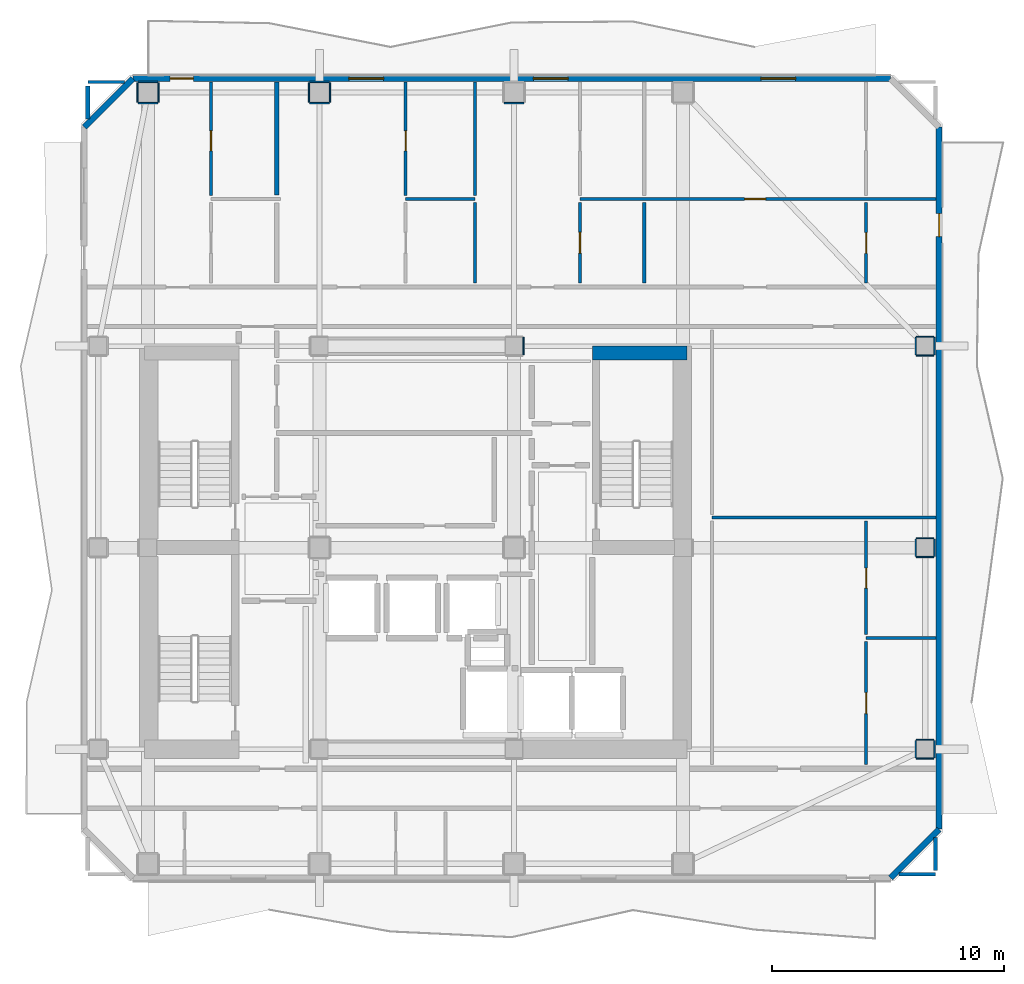
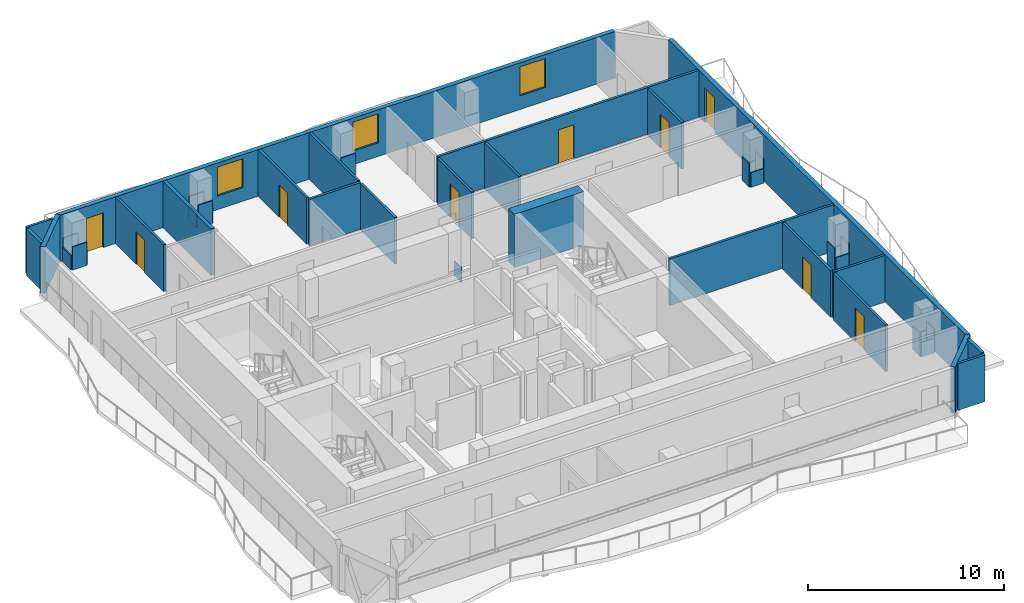
# One storey, part 5 of 9: 45 walls, 9 doors, 3 windows, 12 openings.
"""IFC4 building model written with IfcOpenShell, lengths in metres."""

from ifc_helpers import new_model, si_unit, direction, frame, frame_2d, origin, place, context, subcontext, project, spatial, rectangle, extrude, material, layer, layer_set, type_object, element, fill, save


model = new_model("IFC4")

# Units and contexts
model_context = context("Model", 3, precision=1e-05, world=origin(), true_north=direction((0.0, 1.0)))
body_context = subcontext(model_context, "Body", "Model", "MODEL_VIEW")
ifc_project = project(units=[si_unit("LENGTHUNIT", "METRE"), si_unit("AREAUNIT", "SQUARE_METRE"), si_unit("VOLUMEUNIT", "CUBIC_METRE"), si_unit("PLANEANGLEUNIT", "RADIAN"), si_unit("MASSUNIT", "GRAM", prefix="KILO")], contexts=[model_context])

# Site, building, storey
site_placement = place(None, origin())
site = spatial("IfcSite", under=ifc_project, at=site_placement, CompositionType="ELEMENT")
building_placement = place(site_placement, origin())
building = spatial("IfcBuilding", under=site, at=building_placement, Name="Solanera Arch Residences", CompositionType="ELEMENT")
storey_placement = place(building_placement, frame((0.0, 0.0, 247.8798828125)))
storey = spatial("IfcBuildingStorey", under=building, at=storey_placement, Name="L72", CompositionType="ELEMENT", Elevation=247.8798828125)

# Walls
ifc_material_1 = material(Name="Fire-Rated Gypsum Stud Partition", Category="gypsum")
ifc_layer_1 = layer(ifc_material_1, 0.06005859375)
ifc_layer_set_1 = layer_set([ifc_layer_1], Name="Fire-Rated Gypsum Stud Partition")
wall_type_1 = type_object("IfcWallType", Name="Column Acoustic Furring Wall 60", PredefinedType="PARTITIONING", material=ifc_layer_set_1)
wall_1_placement = place(storey_placement, frame((29.60693359375, 39.02490234375, 0.0), z_axis=(0.0, 0.0, 1.0), x_axis=(0.0, 1.0, 0.0)))
element("IfcWall", 1, at=wall_1_placement, inside=storey, type_object=wall_type_1, Name="L72 Column Furring 4E", PredefinedType="PARTITIONING", context=body_context, shape_type="SweptSolid", body=[
    extrude(rectangle(XDim=0.75, YDim=0.06005859375, at=frame_2d((0.375, 0.0))), origin(), (0.0, 0.0, 1.0), 0.905029296875),
])
for number, where, z_axis, x_axis, name in (
    (2, (12.97509765625, 49.89306640625, 0.0), (0.0, 0.0, 1.0), (1.0, 0.0, 0.0), "L72 Column Furring 10S"),
    (3, (12.97509765625, 50.806884765625, 0.0), (0.0, 0.0, 1.0), (1.0, 0.0, 0.0), "L72 Column Furring 10N"),
):
    element("IfcWall", number, at=place(storey_placement, frame(where, z_axis=z_axis, x_axis=x_axis)), inside=storey, type_object=wall_type_1, Name=name, PredefinedType="PARTITIONING", context=body_context, shape_type="SweptSolid", body=[
        extrude(rectangle(XDim=0.849853515625, YDim=0.06005859375, at=frame_2d((0.4248046875, 0.0))), origin(), (0.0, 0.0, 1.0), 1.4501953125),
    ])
for number, where, z_axis, x_axis, name in (
    (4, (12.943115234375, 49.925048828125, 0.0), (0.0, 0.0, 1.0), (0.0, 1.0, 0.0), "L72 Column Furring 10W"),
    (5, (13.85693359375, 49.925048828125, 0.0), (0.0, 0.0, 1.0), (0.0, 1.0, 0.0), "L72 Column Furring 10E"),
):
    element("IfcWall", number, at=place(storey_placement, frame(where, z_axis=z_axis, x_axis=x_axis)), inside=storey, type_object=wall_type_1, Name=name, PredefinedType="PARTITIONING", context=body_context, shape_type="SweptSolid", body=[
        extrude(rectangle(XDim=0.849853515625, YDim=0.06005859375, at=frame_2d((0.4248046875, 0.0))), origin(), (0.0, 0.0, 1.0), 0.905029296875),
    ])
for number, where, z_axis, x_axis, name in (
    (6, (20.375, 49.89306640625, 0.0), (0.0, 0.0, 1.0), (1.0, 0.0, 0.0), "L72 Column Furring 12S"),
    (7, (20.375, 50.806884765625, 0.0), (0.0, 0.0, 1.0), (1.0, 0.0, 0.0), "L72 Column Furring 12N"),
):
    element("IfcWall", number, at=place(storey_placement, frame(where, z_axis=z_axis, x_axis=x_axis)), inside=storey, type_object=wall_type_1, Name=name, PredefinedType="PARTITIONING", context=body_context, shape_type="SweptSolid", body=[
        extrude(rectangle(XDim=0.85009765625, YDim=0.06005859375, at=frame_2d((0.425048828125, 0.0))), origin(), (0.0, 0.0, 1.0), 1.4501953125),
    ])
for number, where, z_axis, x_axis, name in (
    (8, (20.343017578125, 49.925048828125, 0.0), (0.0, 0.0, 1.0), (0.0, 1.0, 0.0), "L72 Column Furring 12W"),
    (9, (21.257080078125, 49.925048828125, 0.0), (0.0, 0.0, 1.0), (0.0, 1.0, 0.0), "L72 Column Furring 12E"),
):
    element("IfcWall", number, at=place(storey_placement, frame(where, z_axis=z_axis, x_axis=x_axis)), inside=storey, type_object=wall_type_1, Name=name, PredefinedType="PARTITIONING", context=body_context, shape_type="SweptSolid", body=[
        extrude(rectangle(XDim=0.849853515625, YDim=0.06005859375, at=frame_2d((0.4248046875, 0.0))), origin(), (0.0, 0.0, 1.0), 0.905029296875),
    ])
wall_2_placement = place(storey_placement, frame((28.77490234375, 49.89306640625, 0.0), z_axis=(0.0, 0.0, 1.0), x_axis=(1.0, 0.0, 0.0)))
element("IfcWall", 10, at=wall_2_placement, inside=storey, type_object=wall_type_1, Name="L72 Column Furring 14S", PredefinedType="PARTITIONING", context=body_context, shape_type="SweptSolid", body=[
    extrude(rectangle(XDim=0.85009765625, YDim=0.06005859375, at=frame_2d((0.425048828125, 0.0))), origin(), (0.0, 0.0, 1.0), 1.4501953125),
])
for number, where, z_axis, x_axis, name in (
    (11, (46.574951171875, 21.593017578125, 0.0), (0.0, 0.0, 1.0), (1.0, 0.0, 0.0), "L72 Column Furring 18S"),
    (12, (46.574951171875, 22.406982421875, 0.0), (0.0, 0.0, 1.0), (1.0, 0.0, 0.0), "L72 Column Furring 18N"),
):
    element("IfcWall", number, at=place(storey_placement, frame(where, z_axis=z_axis, x_axis=x_axis)), inside=storey, type_object=wall_type_1, Name=name, PredefinedType="PARTITIONING", context=body_context, shape_type="SweptSolid", body=[
        extrude(rectangle(XDim=0.75, YDim=0.06005859375, at=frame_2d((0.375, 0.0))), origin(), (0.0, 0.0, 1.0), 0.905029296875),
    ])
for number, where, z_axis, x_axis, name in (
    (13, (46.54296875, 21.625, 0.0), (0.0, 0.0, 1.0), (0.0, 1.0, 0.0), "L72 Column Furring 18W"),
    (14, (47.35693359375, 21.625, 0.0), (0.0, 0.0, 1.0), (0.0, 1.0, 0.0), "L72 Column Furring 18E"),
):
    element("IfcWall", number, at=place(storey_placement, frame(where, z_axis=z_axis, x_axis=x_axis)), inside=storey, type_object=wall_type_1, Name=name, PredefinedType="PARTITIONING", context=body_context, shape_type="SweptSolid", body=[
        extrude(rectangle(XDim=0.75, YDim=0.06005859375, at=frame_2d((0.375, 0.0))), origin(), (0.0, 0.0, 1.0), 1.4501953125),
    ])
for number, where, z_axis, x_axis, name in (
    (15, (46.574951171875, 30.29296875, 0.0), (0.0, 0.0, 1.0), (1.0, 0.0, 0.0), "L72 Column Furring 20S"),
    (16, (46.574951171875, 31.10693359375, 0.0), (0.0, 0.0, 1.0), (1.0, 0.0, 0.0), "L72 Column Furring 20N"),
):
    element("IfcWall", number, at=place(storey_placement, frame(where, z_axis=z_axis, x_axis=x_axis)), inside=storey, type_object=wall_type_1, Name=name, PredefinedType="PARTITIONING", context=body_context, shape_type="SweptSolid", body=[
        extrude(rectangle(XDim=0.75, YDim=0.06005859375, at=frame_2d((0.375, 0.0))), origin(), (0.0, 0.0, 1.0), 0.905029296875),
    ])
for number, where, z_axis, x_axis, name in (
    (17, (46.54296875, 30.324951171875, 0.0), (0.0, 0.0, 1.0), (0.0, 1.0, 0.0), "L72 Column Furring 20W"),
    (18, (47.35693359375, 30.324951171875, 0.0), (0.0, 0.0, 1.0), (0.0, 1.0, 0.0), "L72 Column Furring 20E"),
):
    element("IfcWall", number, at=place(storey_placement, frame(where, z_axis=z_axis, x_axis=x_axis)), inside=storey, type_object=wall_type_1, Name=name, PredefinedType="PARTITIONING", context=body_context, shape_type="SweptSolid", body=[
        extrude(rectangle(XDim=0.75, YDim=0.06005859375, at=frame_2d((0.375, 0.0))), origin(), (0.0, 0.0, 1.0), 1.4501953125),
    ])
for number, where, z_axis, x_axis, name in (
    (19, (46.574951171875, 38.992919921875, 0.0), (0.0, 0.0, 1.0), (1.0, 0.0, 0.0), "L72 Column Furring 22S"),
    (20, (46.574951171875, 39.806884765625, 0.0), (0.0, 0.0, 1.0), (1.0, 0.0, 0.0), "L72 Column Furring 22N"),
):
    element("IfcWall", number, at=place(storey_placement, frame(where, z_axis=z_axis, x_axis=x_axis)), inside=storey, type_object=wall_type_1, Name=name, PredefinedType="PARTITIONING", context=body_context, shape_type="SweptSolid", body=[
        extrude(rectangle(XDim=0.75, YDim=0.06005859375, at=frame_2d((0.375, 0.0))), origin(), (0.0, 0.0, 1.0), 0.905029296875),
    ])
for number, where, z_axis, x_axis, name in (
    (21, (46.54296875, 39.02490234375, 0.0), (0.0, 0.0, 1.0), (0.0, 1.0, 0.0), "L72 Column Furring 22W"),
    (22, (47.35693359375, 39.02490234375, 0.0), (0.0, 0.0, 1.0), (0.0, 1.0, 0.0), "L72 Column Furring 22E"),
):
    element("IfcWall", number, at=place(storey_placement, frame(where, z_axis=z_axis, x_axis=x_axis)), inside=storey, type_object=wall_type_1, Name=name, PredefinedType="PARTITIONING", context=body_context, shape_type="SweptSolid", body=[
        extrude(rectangle(XDim=0.75, YDim=0.06005859375, at=frame_2d((0.375, 0.0))), origin(), (0.0, 0.0, 1.0), 1.4501953125),
    ])
ifc_material_2 = material(Name="Concrete C40/50 (f'c = 45 MPa)", Category="concrete")
ifc_layer_2 = layer(ifc_material_2, 0.60009765625)
ifc_layer_set_2 = layer_set([ifc_layer_2], Name="Concrete C40/50 (f'c = 45 MPa)")
wall_type_2 = type_object("IfcWallType", Name="Core Shear Wall CW-600", PredefinedType="SHEAR", material=ifc_layer_set_2)
wall_3_placement = place(storey_placement, frame((32.580078125, 39.10009765625, 0.0), z_axis=(0.0, 0.0, 1.0), x_axis=(1.0, 0.0, 0.0)))
element("IfcWall", 23, at=wall_3_placement, inside=storey, type_object=wall_type_2, Name="L72 North-East Core Shear Wall", PredefinedType="SHEAR", context=body_context, shape_type="SweptSolid", body=[
    extrude(rectangle(XDim=4.079833984375, YDim=0.60009765625, at=frame_2d((2.0400390625, 0.0))), origin(), (0.0, 0.0, 1.0), 3.320068359375),
])
ifc_material_3 = material(Name="Autoclaved Aerated Concrete Blockwork", Category="masonry")
ifc_layer_3 = layer(ifc_material_3, 0.179931640625)
ifc_layer_set_3 = layer_set([ifc_layer_3], Name="Autoclaved Aerated Concrete Blockwork")
wall_type_3 = type_object("IfcWallType", Name="Corridor Fire Partition 180", PredefinedType="PARTITIONING", material=ifc_layer_set_3)
wall_4_placement = place(storey_placement, frame((10.800048828125, 49.2109375, 0.0), z_axis=(0.0, 0.0, 1.0), x_axis=(0.0, 1.0, 0.0)))
element("IfcWall", 24, at=wall_4_placement, inside=storey, type_object=wall_type_3, Name="L72 Interior Partition V9", PredefinedType="PARTITIONING", context=body_context, shape_type="SweptSolid", body=[
    extrude(rectangle(XDim=1.421142578125, YDim=0.179931640625, at=frame_2d((0.71044921875, 0.0))), origin(), (0.0, 0.0, 1.0), 2.900146484375),
])
wall_5_placement = place(storey_placement, frame((47.39990234375, 16.76806640625, 0.0), z_axis=(0.0, 0.0, 1.0), x_axis=(0.0, 1.0, 0.0)))
element("IfcWall", 25, at=wall_5_placement, inside=storey, type_object=wall_type_3, Name="L72 Interior Partition V11 1", PredefinedType="PARTITIONING", context=body_context, shape_type="SweptSolid", body=[
    extrude(rectangle(XDim=1.4208984375, YDim=0.179931640625, at=frame_2d((0.71044921875, 0.0))), origin(), (0.0, 0.0, 1.0), 2.900146484375),
])
ifc_material_4 = material(Name="Precast Concrete C35/45", Category="concrete")
ifc_layer_4 = layer(ifc_material_4, 0.260009765625)
ifc_layer_set_4 = layer_set([ifc_layer_4], Name="Precast Concrete C35/45")
wall_type_4 = type_object("IfcWallType", Name="Exterior Wall Precast Masonry-Frame 260", PredefinedType="STANDARD", material=ifc_layer_set_4)
wall_6_placement = place(storey_placement, frame((10.64501953125, 48.85498046875, 0.0), z_axis=(0.0, 0.0, 1.0), x_axis=(0.707106781187, 0.707106781187, 0.0)))
element("IfcWall", 26, at=wall_6_placement, inside=storey, type_object=wall_type_4, Name="L72 Tower Exterior Precast Masonry-Frame Wall CH1", PredefinedType="STANDARD", context=body_context, shape_type="SweptSolid", body=[
    extrude(rectangle(XDim=2.969970703125, YDim=0.260009765625, at=frame_2d((1.48486328125, 0.0))), origin(), (0.0, 0.0, 1.0), 2.900146484375),
])

# Wall, openings, door, windows
wall_7_placement = place(storey_placement, frame((12.7451171875, 50.955078125, 0.0), z_axis=(0.0, 0.0, 1.0), x_axis=(1.0, 0.0, 0.0)))
wall_7 = element("IfcWall", 27, at=wall_7_placement, inside=storey, type_object=wall_type_4, Name="L72 Tower Exterior Precast Masonry-Frame Wall N", PredefinedType="STANDARD", context=body_context, shape_type="SweptSolid", body=[
    extrude(rectangle(XDim=32.7099609375, YDim=0.260009765625, at=frame_2d((16.35498046875, 0.0))), origin(), (0.0, 0.0, 1.0), 2.900146484375),
])
opening_1_placement = place(wall_7_placement, frame((1.610107421875, 0.0, 0.0)))
opening_1 = element("IfcOpeningElement", 28, at=opening_1_placement, cuts=wall_7, Name="Opening DB-01", PredefinedType="OPENING", context=body_context, shape_type="SweptSolid", body=[
    extrude(rectangle(XDim=1.0, YDim=2.14990234375, at=frame_2d((0.5, 1.074951171875))), frame((0.0, 0.139892578125, 0.0), z_axis=(0.0, -1.0, 0.0), x_axis=(1.0, 0.0, 0.0)), (0.0, 0.0, 1.0), 0.28),
])
opening_2_placement = place(wall_7_placement, frame((9.327880859375, 0.0, 0.85009765625)))
opening_2 = element("IfcOpeningElement", 29, at=opening_2_placement, cuts=wall_7, Name="Opening W-02", PredefinedType="OPENING", context=body_context, shape_type="SweptSolid", body=[
    extrude(rectangle(XDim=1.5, YDim=1.800048828125, at=frame_2d((0.75, 0.89990234375))), frame((0.0, 0.139892578125, 0.0), z_axis=(0.0, -1.0, 0.0), x_axis=(1.0, 0.0, 0.0)), (0.0, 0.0, 1.0), 0.28),
])
opening_3_placement = place(wall_7_placement, frame((17.2900390625, 0.0, 0.85009765625)))
opening_3 = element("IfcOpeningElement", 30, at=opening_3_placement, cuts=wall_7, Name="Opening W-02", PredefinedType="OPENING", context=body_context, shape_type="SweptSolid", body=[
    extrude(rectangle(XDim=1.5, YDim=1.800048828125, at=frame_2d((0.75, 0.89990234375))), frame((0.0, 0.139892578125, 0.0), z_axis=(0.0, -1.0, 0.0), x_axis=(1.0, 0.0, 0.0)), (0.0, 0.0, 1.0), 0.28),
])
opening_4_placement = place(wall_7_placement, frame((27.116943359375, 0.0, 0.85009765625)))
opening_4 = element("IfcOpeningElement", 31, at=opening_4_placement, cuts=wall_7, Name="Opening W-02", PredefinedType="OPENING", context=body_context, shape_type="SweptSolid", body=[
    extrude(rectangle(XDim=1.5, YDim=1.800048828125, at=frame_2d((0.75, 0.89990234375))), frame((0.0, 0.139892578125, 0.0), z_axis=(0.0, -1.0, 0.0), x_axis=(1.0, 0.0, 0.0)), (0.0, 0.0, 1.0), 0.28),
])
ifc_material_5 = material(Name="Anodised Aluminium Alloy 6063-T6", Category="aluminium")
door_type_1 = type_object("IfcDoorType", Name="Glazed Balcony Swing Door DB-01", OperationType="NOTDEFINED", PredefinedType="DOOR", material=ifc_material_5)
door_1_placement = place(opening_1_placement, origin())
door_1 = element("IfcDoor", 32, at=door_1_placement, inside=storey, type_object=door_type_1, Name="DR-L72-OUT-02", OperationType="SINGLE_SWING_LEFT", OverallHeight=2.14990234375, OverallWidth=1.0, PredefinedType="DOOR", context=body_context, shape_type="SweptSolid", body=[
    extrude(rectangle(XDim=1.0, YDim=2.14990234375, at=frame_2d((0.5, 1.074951171875))), frame((0.0, 0.02490234375, 0.0), z_axis=(0.0, -1.0, 0.0), x_axis=(1.0, 0.0, 0.0)), (0.0, 0.0, 1.0), 0.050048828125),
])
fill(opening_1, door_1)
ifc_material_6 = material(Name="Double Glazed Low-E Laminated Glass", Category="glass")
window_type = type_object("IfcWindowType", Name="Punched Window W-02", PartitioningType="DOUBLE_PANEL_VERTICAL", PredefinedType="WINDOW", material=ifc_material_6)
window_1_placement = place(opening_2_placement, origin())
window_1 = element("IfcWindow", 33, at=window_1_placement, inside=storey, type_object=window_type, Name="L72 7203-LIV Punched Window", OverallHeight=1.800048828125, OverallWidth=1.5, PartitioningType="SINGLE_PANEL", PredefinedType="WINDOW", context=body_context, shape_type="SweptSolid", body=[
    extrude(rectangle(XDim=1.5, YDim=1.800048828125, at=frame_2d((0.75, 0.89990234375))), frame((0.0, 0.030029296875, 0.0), z_axis=(0.0, -1.0, 0.0), x_axis=(1.0, 0.0, 0.0)), (0.0, 0.0, 1.0), 0.06005859375),
])
fill(opening_2, window_1)
window_2_placement = place(opening_3_placement, origin())
window_2 = element("IfcWindow", 34, at=window_2_placement, inside=storey, type_object=window_type, Name="L72 7204-LIV Punched Window", OverallHeight=1.800048828125, OverallWidth=1.5, PartitioningType="SINGLE_PANEL", PredefinedType="WINDOW", context=body_context, shape_type="SweptSolid", body=[
    extrude(rectangle(XDim=1.5, YDim=1.800048828125, at=frame_2d((0.75, 0.89990234375))), frame((0.0, 0.030029296875, 0.0), z_axis=(0.0, -1.0, 0.0), x_axis=(1.0, 0.0, 0.0)), (0.0, 0.0, 1.0), 0.06005859375),
])
fill(opening_3, window_2)
window_3_placement = place(opening_4_placement, origin())
window_3 = element("IfcWindow", 35, at=window_3_placement, inside=storey, type_object=window_type, Name="L72 7205-LIV Punched Window", OverallHeight=1.800048828125, OverallWidth=1.5, PartitioningType="SINGLE_PANEL", PredefinedType="WINDOW", context=body_context, shape_type="SweptSolid", body=[
    extrude(rectangle(XDim=1.5, YDim=1.800048828125, at=frame_2d((0.75, 0.89990234375))), frame((0.0, 0.030029296875, 0.0), z_axis=(0.0, -1.0, 0.0), x_axis=(1.0, 0.0, 0.0)), (0.0, 0.0, 1.0), 0.06005859375),
])
fill(opening_4, window_3)

# Wall, opening, door
wall_8_placement = place(storey_placement, frame((47.554931640625, 48.85498046875, 0.0), z_axis=(0.0, 0.0, 1.0), x_axis=(0.0, -1.0, 0.0)))
wall_8 = element("IfcWall", 36, at=wall_8_placement, inside=storey, type_object=wall_type_4, Name="L72 Tower Exterior Precast Masonry-Frame Wall E", PredefinedType="STANDARD", context=body_context, shape_type="SweptSolid", body=[
    extrude(rectangle(XDim=30.31005859375, YDim=0.260009765625, at=frame_2d((15.155029296875, 0.0))), origin(), (0.0, 0.0, 1.0), 2.900146484375),
])
opening_5_placement = place(wall_8_placement, frame((3.72900390625, 0.0, 0.0)))
opening_5 = element("IfcOpeningElement", 37, at=opening_5_placement, cuts=wall_8, Name="Opening DB-01", PredefinedType="OPENING", context=body_context, shape_type="SweptSolid", body=[
    extrude(rectangle(XDim=1.0, YDim=2.14990234375, at=frame_2d((0.5, 1.074951171875))), frame((0.0, 0.139892578125, 0.0), z_axis=(0.0, -1.0, 0.0), x_axis=(1.0, 0.0, 0.0)), (0.0, 0.0, 1.0), 0.28),
])
door_2_placement = place(opening_5_placement, origin())
door_2 = element("IfcDoor", 38, at=door_2_placement, inside=storey, type_object=door_type_1, Name="DR-L72-OUT-03", OperationType="SINGLE_SWING_RIGHT", OverallHeight=2.14990234375, OverallWidth=1.0, PredefinedType="DOOR", context=body_context, shape_type="SweptSolid", body=[
    extrude(rectangle(XDim=1.0, YDim=2.14990234375, at=frame_2d((0.5, 1.074951171875))), frame((0.0, 0.02490234375, 0.0), z_axis=(0.0, -1.0, 0.0), x_axis=(1.0, 0.0, 0.0)), (0.0, 0.0, 1.0), 0.050048828125),
])
fill(opening_5, door_2)

# Walls
wall_9_placement = place(storey_placement, frame((47.554931640625, 18.544921875, 0.0), z_axis=(0.0, 0.0, 1.0), x_axis=(-0.707106781187, -0.707106781187, 0.0)))
element("IfcWall", 39, at=wall_9_placement, inside=storey, type_object=wall_type_4, Name="L72 Tower Exterior Precast Masonry-Frame Wall CH5", PredefinedType="STANDARD", context=body_context, shape_type="SweptSolid", body=[
    extrude(rectangle(XDim=2.9697265625, YDim=0.260009765625, at=frame_2d((1.48486328125, 0.0))), origin(), (0.0, 0.0, 1.0), 2.900146484375),
])
ifc_material_7 = material(Name="Autoclaved Aerated Concrete Blockwork", Category="masonry")
ifc_layer_5 = layer(ifc_material_7, 0.199951171875)
ifc_layer_set_5 = layer_set([ifc_layer_5], Name="Autoclaved Aerated Concrete Blockwork")
wall_type_5 = type_object("IfcWallType", Name="Party Wall Acoustic 200", PredefinedType="PARTITIONING", material=ifc_layer_set_5)
wall_10_placement = place(storey_placement, frame((18.949951171875, 45.93408203125, 0.0), z_axis=(0.0, 0.0, 1.0), x_axis=(0.0, 1.0, 0.0)))
element("IfcWall", 40, at=wall_10_placement, inside=storey, type_object=wall_type_5, Name="L72 Interior Partition V7 2", PredefinedType="PARTITIONING", context=body_context, shape_type="SweptSolid", body=[
    extrude(rectangle(XDim=4.87890625, YDim=0.199951171875, at=frame_2d((2.439453125, 0.0))), origin(), (0.0, 0.0, 1.0), 2.900146484375),
])
ifc_material_8 = material(Name="Autoclaved Aerated Concrete Blockwork", Category="masonry")
ifc_layer_6 = layer(ifc_material_8, 0.139892578125)
ifc_layer_set_6 = layer_set([ifc_layer_6], Name="Autoclaved Aerated Concrete Blockwork")
wall_type_6 = type_object("IfcWallType", Name="Wet-Room Partition 140", PredefinedType="PARTITIONING", material=ifc_layer_set_6)
wall_11_placement = place(storey_placement, frame((45.81103515625, 16.60009765625, 0.0), z_axis=(0.0, 0.0, 1.0), x_axis=(1.0, 0.0, 0.0)))
element("IfcWall", 41, at=wall_11_placement, inside=storey, type_object=wall_type_6, Name="L72 Interior Partition H13 2", PredefinedType="PARTITIONING", context=body_context, shape_type="SweptSolid", body=[
    extrude(rectangle(XDim=1.5888671875, YDim=0.139892578125, at=frame_2d((0.79443359375, 0.0))), origin(), (0.0, 0.0, 1.0), 2.900146484375),
])
wall_12_placement = place(storey_placement, frame((44.39990234375, 26.800048828125, 0.0), z_axis=(0.0, 0.0, 1.0), x_axis=(1.0, 0.0, 0.0)))
element("IfcWall", 42, at=wall_12_placement, inside=storey, type_object=wall_type_6, Name="L72 Interior Partition H14", PredefinedType="PARTITIONING", context=body_context, shape_type="SweptSolid", body=[
    extrude(rectangle(XDim=3.01318359375, YDim=0.139892578125, at=frame_2d((1.506591796875, 0.0))), origin(), (0.0, 0.0, 1.0), 2.900146484375),
])
wall_13_placement = place(storey_placement, frame((37.75, 32.0, 0.0), z_axis=(0.0, 0.0, 1.0), x_axis=(1.0, 0.0, 0.0)))
element("IfcWall", 43, at=wall_13_placement, inside=storey, type_object=wall_type_6, Name="L72 Interior Partition H15", PredefinedType="PARTITIONING", context=body_context, shape_type="SweptSolid", body=[
    extrude(rectangle(XDim=9.6630859375, YDim=0.139892578125, at=frame_2d((4.83154296875, 0.0))), origin(), (0.0, 0.0, 1.0), 2.900146484375),
])
wall_14_placement = place(storey_placement, frame((24.52001953125, 45.756103515625, 0.0), z_axis=(0.0, 0.0, 1.0), x_axis=(1.0, 0.0, 0.0)))
element("IfcWall", 44, at=wall_14_placement, inside=storey, type_object=wall_type_6, Name="L72 Interior Partition H17", PredefinedType="PARTITIONING", context=body_context, shape_type="SweptSolid", body=[
    extrude(rectangle(XDim=3.0, YDim=0.139892578125, at=frame_2d((1.5, 0.0))), origin(), (0.0, 0.0, 1.0), 2.900146484375),
])

# Wall, opening, door
wall_15_placement = place(storey_placement, frame((32.0458984375, 45.756103515625, 0.0), z_axis=(0.0, 0.0, 1.0), x_axis=(1.0, 0.0, 0.0)))
wall_15 = element("IfcWall", 45, at=wall_15_placement, inside=storey, type_object=wall_type_6, Name="L72 Interior Partition H18", PredefinedType="PARTITIONING", context=body_context, shape_type="SweptSolid", body=[
    extrude(rectangle(XDim=15.3671875, YDim=0.139892578125, at=frame_2d((7.68359375, 0.0))), origin(), (0.0, 0.0, 1.0), 2.900146484375),
])
opening_6_placement = place(wall_15_placement, frame((7.114013671875, 0.0, 0.0)))
opening_6 = element("IfcOpeningElement", 46, at=opening_6_placement, cuts=wall_15, Name="Opening DI-02", PredefinedType="OPENING", context=body_context, shape_type="SweptSolid", body=[
    extrude(rectangle(XDim=0.89990234375, YDim=2.10009765625, at=frame_2d((0.449951171875, 1.050048828125))), frame((0.0, 0.079833984375, 0.0), z_axis=(0.0, -1.0, 0.0), x_axis=(1.0, 0.0, 0.0)), (0.0, 0.0, 1.0), 0.1599),
])
ifc_material_9 = material(Name="Fire-Rated Architectural Hardwood", Category="wood")
door_type_2 = type_object("IfcDoorType", Name="Suite Room Swing Door DI-02", OperationType="NOTDEFINED", PredefinedType="DOOR", material=ifc_material_9)
door_3_placement = place(opening_6_placement, origin())
door_3 = element("IfcDoor", 47, at=door_3_placement, inside=storey, type_object=door_type_2, Name="DR-L72-IN-028", OperationType="SINGLE_SWING_RIGHT", OverallHeight=2.10009765625, OverallWidth=0.89990234375, PredefinedType="DOOR", context=body_context, shape_type="SweptSolid", body=[
    extrude(rectangle(XDim=0.89990234375, YDim=2.10009765625, at=frame_2d((0.449951171875, 1.050048828125))), frame((0.0, 0.02490234375, 0.0), z_axis=(0.0, -1.0, 0.0), x_axis=(1.0, 0.0, 0.0)), (0.0, 0.0, 1.0), 0.050048828125),
])
fill(opening_6, door_3)

# Wall
wall_16_placement = place(storey_placement, frame((10.800048828125, 50.800048828125, 0.0), z_axis=(0.0, 0.0, 1.0), x_axis=(1.0, 0.0, 0.0)))
element("IfcWall", 48, at=wall_16_placement, inside=storey, type_object=wall_type_6, Name="L72 Interior Partition H19 1", PredefinedType="PARTITIONING", context=body_context, shape_type="SweptSolid", body=[
    extrude(rectangle(XDim=1.5888671875, YDim=0.139892578125, at=frame_2d((0.79443359375, 0.0))), origin(), (0.0, 0.0, 1.0), 2.900146484375),
])

# Wall, opening, door
wall_17_placement = place(storey_placement, frame((16.1201171875, 45.904052734375, 0.0), z_axis=(0.0, 0.0, 1.0), x_axis=(0.0, 1.0, 0.0)))
wall_17 = element("IfcWall", 49, at=wall_17_placement, inside=storey, type_object=wall_type_6, Name="L72 Interior Partition V13 2", PredefinedType="PARTITIONING", context=body_context, shape_type="SweptSolid", body=[
    extrude(rectangle(XDim=4.908935546875, YDim=0.139892578125, at=frame_2d((2.45458984375, 0.0))), origin(), (0.0, 0.0, 1.0), 2.900146484375),
])
opening_7_placement = place(wall_17_placement, frame((1.930908203125, 0.0, 0.0)))
opening_7 = element("IfcOpeningElement", 50, at=opening_7_placement, cuts=wall_17, Name="Opening DI-05", PredefinedType="OPENING", context=body_context, shape_type="SweptSolid", body=[
    extrude(rectangle(XDim=0.860107421875, YDim=2.02001953125, at=frame_2d((0.43017578125, 1.010009765625))), frame((0.0, 0.079833984375, 0.0), z_axis=(0.0, -1.0, 0.0), x_axis=(1.0, 0.0, 0.0)), (0.0, 0.0, 1.0), 0.1599),
])
ifc_material_10 = material(Name="Fire-Rated Architectural Hardwood", Category="wood")
door_type_3 = type_object("IfcDoorType", Name="Bathroom Swing Door DI-05", OperationType="NOTDEFINED", PredefinedType="DOOR", material=ifc_material_10)
door_4_placement = place(opening_7_placement, origin())
door_4 = element("IfcDoor", 51, at=door_4_placement, inside=storey, type_object=door_type_3, Name="DR-L72-IN-020", OperationType="SINGLE_SWING_RIGHT", OverallHeight=2.02001953125, OverallWidth=0.860107421875, PredefinedType="DOOR", context=body_context, shape_type="SweptSolid", body=[
    extrude(rectangle(XDim=0.860107421875, YDim=2.02001953125, at=frame_2d((0.43017578125, 1.010009765625))), frame((0.0, 0.02490234375, 0.0), z_axis=(0.0, -1.0, 0.0), x_axis=(1.0, 0.0, 0.0)), (0.0, 0.0, 1.0), 0.050048828125),
])
fill(opening_7, door_4)

wall_18_placement = place(storey_placement, frame((24.52001953125, 45.904052734375, 0.0), z_axis=(0.0, 0.0, 1.0), x_axis=(0.0, 1.0, 0.0)))
wall_18 = element("IfcWall", 52, at=wall_18_placement, inside=storey, type_object=wall_type_6, Name="L72 Interior Partition V14 2", PredefinedType="PARTITIONING", context=body_context, shape_type="SweptSolid", body=[
    extrude(rectangle(XDim=4.908935546875, YDim=0.139892578125, at=frame_2d((2.45458984375, 0.0))), origin(), (0.0, 0.0, 1.0), 2.900146484375),
])
opening_8_placement = place(wall_18_placement, frame((1.930908203125, 0.0, 0.0)))
opening_8 = element("IfcOpeningElement", 53, at=opening_8_placement, cuts=wall_18, Name="Opening DI-05", PredefinedType="OPENING", context=body_context, shape_type="SweptSolid", body=[
    extrude(rectangle(XDim=0.860107421875, YDim=2.02001953125, at=frame_2d((0.43017578125, 1.010009765625))), frame((0.0, 0.079833984375, 0.0), z_axis=(0.0, -1.0, 0.0), x_axis=(1.0, 0.0, 0.0)), (0.0, 0.0, 1.0), 0.1599),
])
door_5_placement = place(opening_8_placement, origin())
door_5 = element("IfcDoor", 54, at=door_5_placement, inside=storey, type_object=door_type_3, Name="DR-L72-IN-023", OperationType="SINGLE_SWING_LEFT", OverallHeight=2.02001953125, OverallWidth=0.860107421875, PredefinedType="DOOR", context=body_context, shape_type="SweptSolid", body=[
    extrude(rectangle(XDim=0.860107421875, YDim=2.02001953125, at=frame_2d((0.43017578125, 1.010009765625))), frame((0.0, 0.02490234375, 0.0), z_axis=(0.0, -1.0, 0.0), x_axis=(1.0, 0.0, 0.0)), (0.0, 0.0, 1.0), 0.050048828125),
])
fill(opening_8, door_5)

# Walls
wall_19_placement = place(storey_placement, frame((27.52001953125, 42.117919921875, 0.0), z_axis=(0.0, 0.0, 1.0), x_axis=(0.0, 1.0, 0.0)))
element("IfcWall", 55, at=wall_19_placement, inside=storey, type_object=wall_type_6, Name="L72 Interior Partition V15 1", PredefinedType="PARTITIONING", context=body_context, shape_type="SweptSolid", body=[
    extrude(rectangle(XDim=3.489990234375, YDim=0.139892578125, at=frame_2d((1.7451171875, 0.0))), origin(), (0.0, 0.0, 1.0), 2.900146484375),
])
wall_20_placement = place(storey_placement, frame((27.52001953125, 45.904052734375, 0.0), z_axis=(0.0, 0.0, 1.0), x_axis=(0.0, 1.0, 0.0)))
element("IfcWall", 56, at=wall_20_placement, inside=storey, type_object=wall_type_6, Name="L72 Interior Partition V15 2", PredefinedType="PARTITIONING", context=body_context, shape_type="SweptSolid", body=[
    extrude(rectangle(XDim=4.908935546875, YDim=0.139892578125, at=frame_2d((2.45458984375, 0.0))), origin(), (0.0, 0.0, 1.0), 2.900146484375),
])

# Wall, opening, door
wall_21_placement = place(storey_placement, frame((32.0458984375, 42.117919921875, 0.0), z_axis=(0.0, 0.0, 1.0), x_axis=(0.0, 1.0, 0.0)))
wall_21 = element("IfcWall", 57, at=wall_21_placement, inside=storey, type_object=wall_type_6, Name="L72 Interior Partition V16 1", PredefinedType="PARTITIONING", context=body_context, shape_type="SweptSolid", body=[
    extrude(rectangle(XDim=3.489990234375, YDim=0.139892578125, at=frame_2d((1.7451171875, 0.0))), origin(), (0.0, 0.0, 1.0), 2.900146484375),
])
opening_9_placement = place(wall_21_placement, frame((1.298095703125, 0.0, 0.0)))
opening_9 = element("IfcOpeningElement", 58, at=opening_9_placement, cuts=wall_21, Name="Opening DI-02", PredefinedType="OPENING", context=body_context, shape_type="SweptSolid", body=[
    extrude(rectangle(XDim=0.89990234375, YDim=2.10009765625, at=frame_2d((0.449951171875, 1.050048828125))), frame((0.0, 0.079833984375, 0.0), z_axis=(0.0, -1.0, 0.0), x_axis=(1.0, 0.0, 0.0)), (0.0, 0.0, 1.0), 0.1599),
])
door_6_placement = place(opening_9_placement, origin())
door_6 = element("IfcDoor", 59, at=door_6_placement, inside=storey, type_object=door_type_2, Name="DR-L72-IN-025", OperationType="SINGLE_SWING_LEFT", OverallHeight=2.10009765625, OverallWidth=0.89990234375, PredefinedType="DOOR", context=body_context, shape_type="SweptSolid", body=[
    extrude(rectangle(XDim=0.89990234375, YDim=2.10009765625, at=frame_2d((0.449951171875, 1.050048828125))), frame((0.0, 0.02490234375, 0.0), z_axis=(0.0, -1.0, 0.0), x_axis=(1.0, 0.0, 0.0)), (0.0, 0.0, 1.0), 0.050048828125),
])
fill(opening_9, door_6)

# Wall
wall_22_placement = place(storey_placement, frame((34.820068359375, 42.117919921875, 0.0), z_axis=(0.0, 0.0, 1.0), x_axis=(0.0, 1.0, 0.0)))
element("IfcWall", 60, at=wall_22_placement, inside=storey, type_object=wall_type_6, Name="L72 Interior Partition V17 1", PredefinedType="PARTITIONING", context=body_context, shape_type="SweptSolid", body=[
    extrude(rectangle(XDim=3.489990234375, YDim=0.139892578125, at=frame_2d((1.7451171875, 0.0))), origin(), (0.0, 0.0, 1.0), 2.900146484375),
])

# Wall, opening, door
wall_23_placement = place(storey_placement, frame((44.39990234375, 21.347900390625, 0.0), z_axis=(0.0, 0.0, 1.0), x_axis=(0.0, 1.0, 0.0)))
wall_23 = element("IfcWall", 61, at=wall_23_placement, inside=storey, type_object=wall_type_6, Name="L72 Interior Partition V18 1", PredefinedType="PARTITIONING", context=body_context, shape_type="SweptSolid", body=[
    extrude(rectangle(XDim=5.30419921875, YDim=0.139892578125, at=frame_2d((2.652099609375, 0.0))), origin(), (0.0, 0.0, 1.0), 2.900146484375),
])
opening_10_placement = place(wall_23_placement, frame((2.18994140625, 0.0, 0.0)))
opening_10 = element("IfcOpeningElement", 62, at=opening_10_placement, cuts=wall_23, Name="Opening DI-02", PredefinedType="OPENING", context=body_context, shape_type="SweptSolid", body=[
    extrude(rectangle(XDim=0.89990234375, YDim=2.10009765625, at=frame_2d((0.449951171875, 1.050048828125))), frame((0.0, 0.079833984375, 0.0), z_axis=(0.0, -1.0, 0.0), x_axis=(1.0, 0.0, 0.0)), (0.0, 0.0, 1.0), 0.1599),
])
door_7_placement = place(opening_10_placement, origin())
door_7 = element("IfcDoor", 63, at=door_7_placement, inside=storey, type_object=door_type_2, Name="DR-L72-IN-032", OperationType="SINGLE_SWING_RIGHT", OverallHeight=2.10009765625, OverallWidth=0.89990234375, PredefinedType="DOOR", context=body_context, shape_type="SweptSolid", body=[
    extrude(rectangle(XDim=0.89990234375, YDim=2.10009765625, at=frame_2d((0.449951171875, 1.050048828125))), frame((0.0, 0.02490234375, 0.0), z_axis=(0.0, -1.0, 0.0), x_axis=(1.0, 0.0, 0.0)), (0.0, 0.0, 1.0), 0.050048828125),
])
fill(opening_10, door_7)

wall_24_placement = place(storey_placement, frame((44.39990234375, 26.947998046875, 0.0), z_axis=(0.0, 0.0, 1.0), x_axis=(0.0, 1.0, 0.0)))
wall_24 = element("IfcWall", 64, at=wall_24_placement, inside=storey, type_object=wall_type_6, Name="L72 Interior Partition V18 2", PredefinedType="PARTITIONING", context=body_context, shape_type="SweptSolid", body=[
    extrude(rectangle(XDim=4.904052734375, YDim=0.139892578125, at=frame_2d((2.4521484375, 0.0))), origin(), (0.0, 0.0, 1.0), 2.900146484375),
])
opening_11_placement = place(wall_24_placement, frame((2.009033203125, 0.0, 0.0)))
opening_11 = element("IfcOpeningElement", 65, at=opening_11_placement, cuts=wall_24, Name="Opening DI-05", PredefinedType="OPENING", context=body_context, shape_type="SweptSolid", body=[
    extrude(rectangle(XDim=0.860107421875, YDim=2.02001953125, at=frame_2d((0.43017578125, 1.010009765625))), frame((0.0, 0.079833984375, 0.0), z_axis=(0.0, -1.0, 0.0), x_axis=(1.0, 0.0, 0.0)), (0.0, 0.0, 1.0), 0.1599),
])
door_8_placement = place(opening_11_placement, origin())
door_8 = element("IfcDoor", 66, at=door_8_placement, inside=storey, type_object=door_type_3, Name="DR-L72-IN-033", OperationType="SINGLE_SWING_LEFT", OverallHeight=2.02001953125, OverallWidth=0.860107421875, PredefinedType="DOOR", context=body_context, shape_type="SweptSolid", body=[
    extrude(rectangle(XDim=0.860107421875, YDim=2.02001953125, at=frame_2d((0.43017578125, 1.010009765625))), frame((0.0, 0.02490234375, 0.0), z_axis=(0.0, -1.0, 0.0), x_axis=(1.0, 0.0, 0.0)), (0.0, 0.0, 1.0), 0.050048828125),
])
fill(opening_11, door_8)

wall_25_placement = place(storey_placement, frame((44.39990234375, 42.117919921875, 0.0), z_axis=(0.0, 0.0, 1.0), x_axis=(0.0, 1.0, 0.0)))
wall_25 = element("IfcWall", 67, at=wall_25_placement, inside=storey, type_object=wall_type_6, Name="L72 Interior Partition V19 1", PredefinedType="PARTITIONING", context=body_context, shape_type="SweptSolid", body=[
    extrude(rectangle(XDim=3.489990234375, YDim=0.139892578125, at=frame_2d((1.7451171875, 0.0))), origin(), (0.0, 0.0, 1.0), 2.900146484375),
])
opening_12_placement = place(wall_25_placement, frame((1.284912109375, 0.0, 0.0)))
opening_12 = element("IfcOpeningElement", 68, at=opening_12_placement, cuts=wall_25, Name="Opening DI-02", PredefinedType="OPENING", context=body_context, shape_type="SweptSolid", body=[
    extrude(rectangle(XDim=0.89990234375, YDim=2.10009765625, at=frame_2d((0.449951171875, 1.050048828125))), frame((0.0, 0.079833984375, 0.0), z_axis=(0.0, -1.0, 0.0), x_axis=(1.0, 0.0, 0.0)), (0.0, 0.0, 1.0), 0.1599),
])
door_9_placement = place(opening_12_placement, origin())
door_9 = element("IfcDoor", 69, at=door_9_placement, inside=storey, type_object=door_type_2, Name="DR-L72-IN-029", OperationType="SINGLE_SWING_LEFT", OverallHeight=2.10009765625, OverallWidth=0.89990234375, PredefinedType="DOOR", context=body_context, shape_type="SweptSolid", body=[
    extrude(rectangle(XDim=0.89990234375, YDim=2.10009765625, at=frame_2d((0.449951171875, 1.050048828125))), frame((0.0, 0.02490234375, 0.0), z_axis=(0.0, -1.0, 0.0), x_axis=(1.0, 0.0, 0.0)), (0.0, 0.0, 1.0), 0.050048828125),
])
fill(opening_12, door_9)

save(model, "model.ifc")
